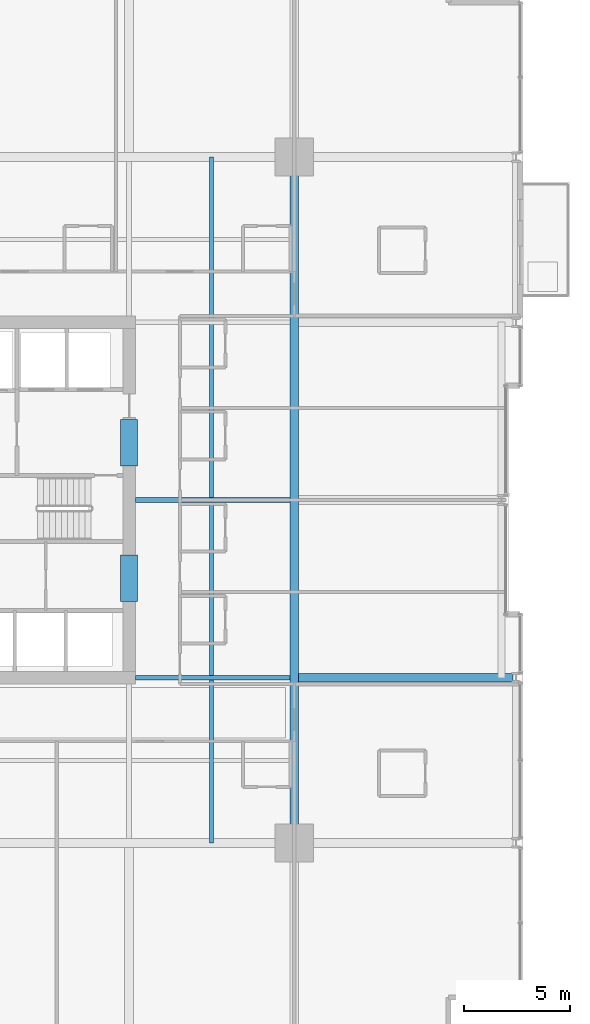
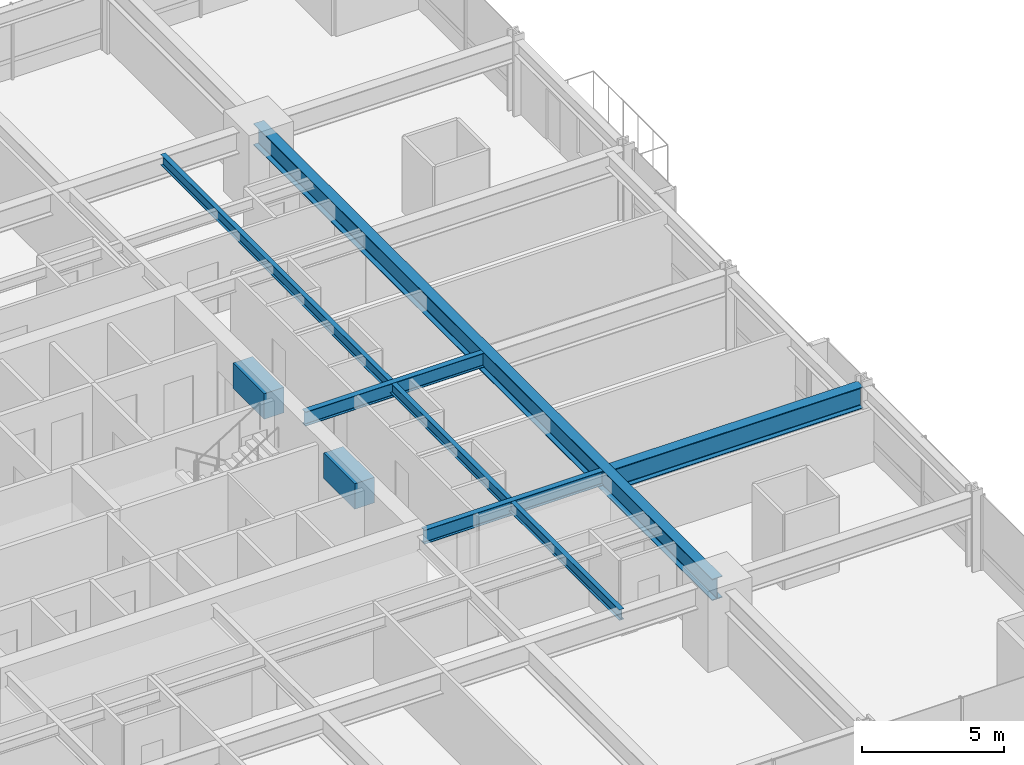
# One storey, part 15 of 38: 7 beams.
"""IFC4 building model written with IfcOpenShell, lengths in metres."""

from ifc_helpers import new_model, si_unit, direction, frame, origin, origin_2d, place, context, subcontext, project, spatial, rectangle, i_section, extrude, material, material_profile, profile_set, type_object, element, save


model = new_model("IFC4")

# Units and contexts
model_context = context("Model", 3, precision=1e-05, world=origin(), true_north=direction((0.0, 1.0)))
body_context = subcontext(model_context, "Body", "Model", "MODEL_VIEW")
ifc_project = project(units=[si_unit("LENGTHUNIT", "METRE"), si_unit("AREAUNIT", "SQUARE_METRE"), si_unit("VOLUMEUNIT", "CUBIC_METRE"), si_unit("PLANEANGLEUNIT", "RADIAN"), si_unit("MASSUNIT", "GRAM", prefix="KILO")], contexts=[model_context])

# Site, building, storey
site_placement = place(None, origin())
site = spatial("IfcSite", under=ifc_project, at=site_placement, CompositionType="ELEMENT")
building_placement = place(site_placement, origin())
building = spatial("IfcBuilding", under=site, at=building_placement, Name="Drelvath Grand Hotel", CompositionType="ELEMENT")
storey_placement = place(building_placement, frame((0.0, 0.0, 50.699951171875)))
storey = spatial("IfcBuildingStorey", under=building, at=storey_placement, Name="L11", CompositionType="ELEMENT", Elevation=50.699951171875)

# Beams
ifc_material_1 = material(Name="Steel ASTM A992 Gr 50", Category="steel")
ifc_material_profile_1 = material_profile(ifc_material_1, i_section(OverallWidth=0.19140625, OverallDepth=0.4599609375, WebThickness=0.010009765625, FlangeThickness=0.01611328125, FilletRadius=0.01611328125, at=origin_2d()), Name="W18X55")
ifc_profile_set_1 = profile_set([ifc_material_profile_1], Name="Steel ASTM A992 Gr 50")
beam_type_1 = type_object("IfcBeamType", Name="Composite Floor Joist W18X55", PredefinedType="JOIST", material=ifc_profile_set_1)
beam_1_placement = place(storey_placement, frame((12.300048828125, 10.800048828125, 3.010009765625), z_axis=(0.0, 1.0, 0.0), x_axis=(-1.0, 0.0, 0.0)))
element("IfcBeam", 1, at=beam_1_placement, inside=storey, type_object=beam_type_1, Name="L11 Wing Floor Joist J4", PredefinedType="JOIST", context=body_context, shape_type="SweptSolid", body=[
    extrude(i_section(OverallWidth=0.19140625, OverallDepth=0.4599609375, WebThickness=0.010009765625, FlangeThickness=0.01611328125, FilletRadius=0.01611328125, at=origin_2d()), origin(), (0.0, 0.0, 1.0), 32.39990234375),
])
ifc_material_2 = material(Name="Concrete f'c 70 MPa", Category="concrete")
ifc_material_profile_2 = material_profile(ifc_material_2, rectangle(XDim=0.800048828125, YDim=1.10009765625, at=origin_2d()), Name="CB800X1100")
ifc_profile_set_2 = profile_set([ifc_material_profile_2], Name="Concrete f'c 70 MPa")
beam_type_2 = type_object("IfcBeamType", Name="Core Coupling Lintel CB800X1100", PredefinedType="LINTEL", material=ifc_profile_set_2)
for number, where, z_axis, x_axis, name in (
    (2, (8.39990234375, 22.199951171875, 2.68994140625), (0.0, 1.0, 0.0), (-1.0, 0.0, 0.0), "L11 Core Coupling Lintel ES"),
    (3, (8.39990234375, 28.60009765625, 2.68994140625), (0.0, 1.0, 0.0), (-1.0, 0.0, 0.0), "L11 Core Coupling Lintel EN"),
):
    element("IfcBeam", number, at=place(storey_placement, frame(where, z_axis=z_axis, x_axis=x_axis)), inside=storey, type_object=beam_type_2, Name=name, PredefinedType="LINTEL", context=body_context, shape_type="SweptSolid", body=[
        extrude(rectangle(XDim=0.800048828125, YDim=1.10009765625, at=origin_2d()), origin(), (0.0, 0.0, 1.0), 2.199951171875),
    ])
ifc_material_profile_3 = material_profile(ifc_material_1, i_section(OverallWidth=0.228271484375, OverallDepth=0.607666015625, WebThickness=0.01123046875, FlangeThickness=0.017333984375, FilletRadius=0.02001953125, at=origin_2d()), Name="W24X76")
ifc_profile_set_3 = profile_set([ifc_material_profile_3], Name="Steel ASTM A992 Gr 50")
beam_type_3 = type_object("IfcBeamType", Name="Primary Floor Girder W24X76", PredefinedType="BEAM", material=ifc_profile_set_3)
for number, where, z_axis, x_axis, name in (
    (4, (8.699951171875, 18.60009765625, 2.936279296875), (1.0, 0.0, 0.0), (0.0, 1.0, 0.0), "L11 East Core Tie D"),
    (5, (8.699951171875, 27.0, 2.936279296875), (1.0, 0.0, 0.0), (0.0, 1.0, 0.0), "L11 East Core Tie E"),
):
    element("IfcBeam", number, at=place(storey_placement, frame(where, z_axis=z_axis, x_axis=x_axis)), inside=storey, type_object=beam_type_3, Name=name, PredefinedType="BEAM", context=body_context, shape_type="SweptSolid", body=[
        extrude(i_section(OverallWidth=0.228271484375, OverallDepth=0.607666015625, WebThickness=0.01123046875, FlangeThickness=0.017333984375, FilletRadius=0.02001953125, at=origin_2d()), origin(), (0.0, 0.0, 1.0), 7.290771484375),
    ])
ifc_material_profile_4 = material_profile(ifc_material_1, i_section(OverallWidth=0.418212890625, OverallDepth=0.926513671875, WebThickness=0.019287109375, FlangeThickness=0.031982421875, FilletRadius=0.028076171875, at=origin_2d()), Name="W36X231")
ifc_profile_set_4 = profile_set([ifc_material_profile_4], Name="Steel ASTM A992 Gr 50")
beam_type_4 = type_object("IfcBeamType", Name="Primary Floor Girder W36X231", PredefinedType="BEAM", material=ifc_profile_set_4)
beam_2_placement = place(storey_placement, frame((16.199951171875, 10.800048828125, 2.77685546875), z_axis=(0.0, 1.0, 0.0), x_axis=(-1.0, 0.0, 0.0)))
element("IfcBeam", 6, at=beam_2_placement, inside=storey, type_object=beam_type_4, Name="L11 Mega Ring Girder East", PredefinedType="BEAM", context=body_context, shape_type="SweptSolid", body=[
    extrude(i_section(OverallWidth=0.418212890625, OverallDepth=0.926513671875, WebThickness=0.019287109375, FlangeThickness=0.031982421875, FilletRadius=0.028076171875, at=origin_2d()), origin(), (0.0, 0.0, 1.0), 32.39990234375),
])
beam_3_placement = place(storey_placement, frame((16.4091796875, 18.60009765625, 2.77685546875), z_axis=(1.0, 0.0, 0.0), x_axis=(0.0, 1.0, 0.0)))
element("IfcBeam", 7, at=beam_3_placement, inside=storey, type_object=beam_type_4, Name="L11 East Wing Girder D", PredefinedType="BEAM", context=body_context, shape_type="SweptSolid", body=[
    extrude(i_section(OverallWidth=0.418212890625, OverallDepth=0.926513671875, WebThickness=0.019287109375, FlangeThickness=0.031982421875, FilletRadius=0.028076171875, at=origin_2d()), origin(), (0.0, 0.0, 1.0), 10.130859375),
])

save(model, "model.ifc")
